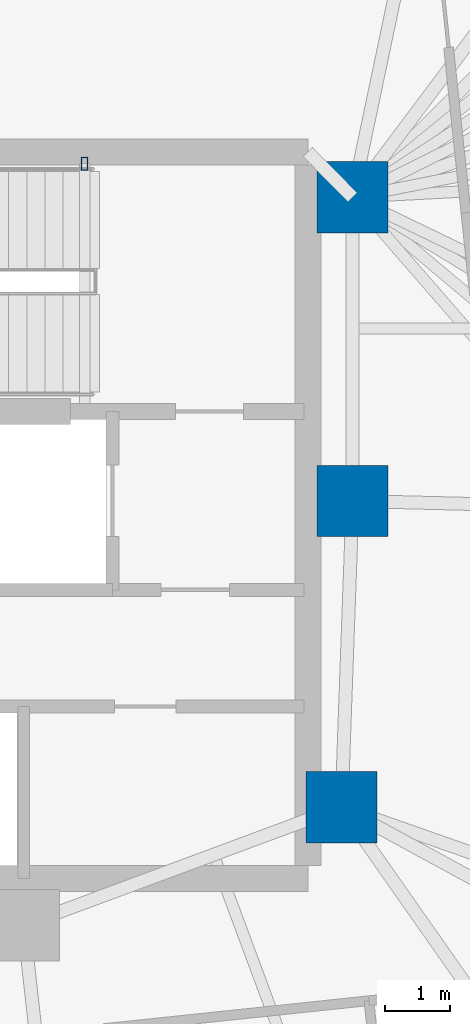
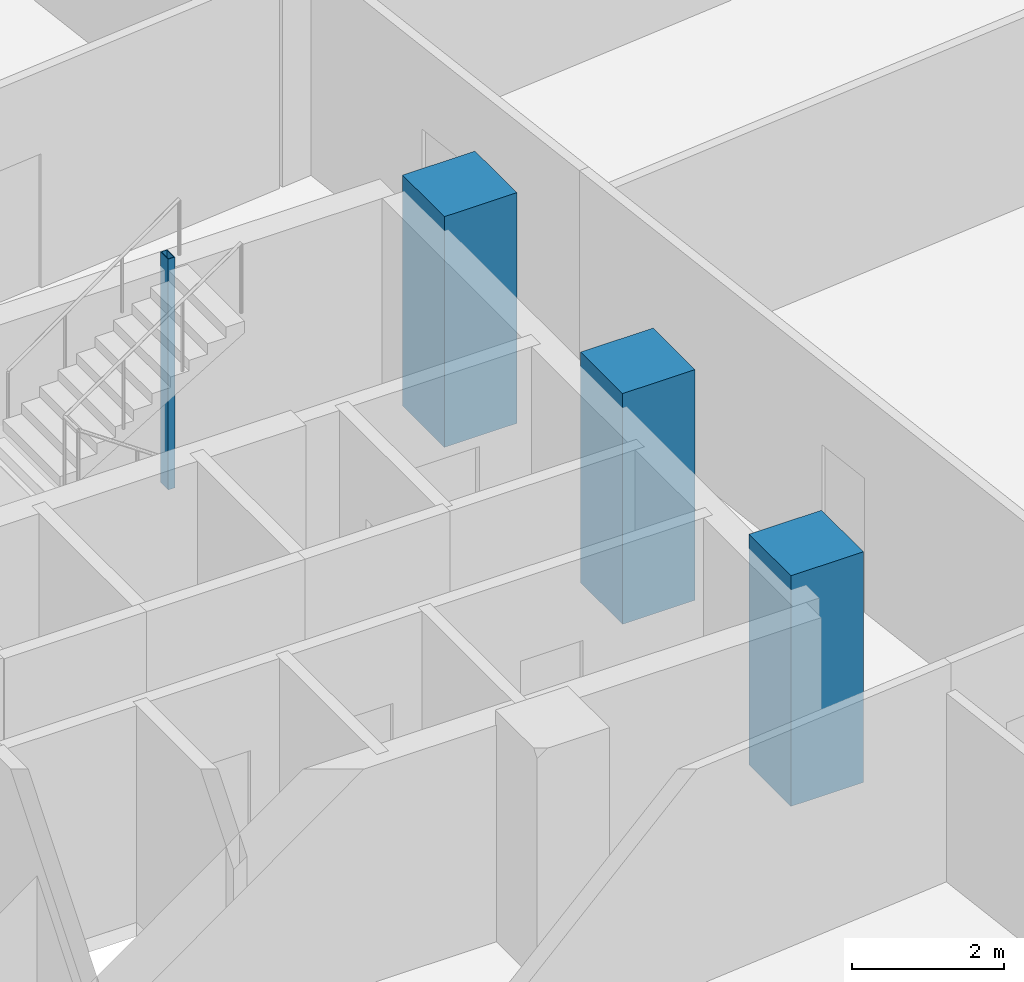
# One storey, part 4 of 18: 4 columns.
"""IFC4 building model written with IfcOpenShell, lengths in metres."""

from ifc_helpers import new_model, si_unit, direction, frame, origin, origin_2d, place, context, subcontext, project, spatial, rectangle, hollow_rectangle, extrude, material, material_profile, profile_set, type_object, element, save


model = new_model("IFC4")

# Units and contexts
model_context = context("Model", 3, precision=1e-05, world=origin(), true_north=direction((0.0, 1.0)))
body_context = subcontext(model_context, "Body", "Model", "MODEL_VIEW")
ifc_project = project(units=[si_unit("LENGTHUNIT", "METRE"), si_unit("AREAUNIT", "SQUARE_METRE"), si_unit("VOLUMEUNIT", "CUBIC_METRE"), si_unit("PLANEANGLEUNIT", "RADIAN"), si_unit("MASSUNIT", "GRAM", prefix="KILO")], contexts=[model_context])

# Site, building, storey
site_placement = place(None, origin())
site = spatial("IfcSite", under=ifc_project, at=site_placement, CompositionType="ELEMENT")
building_placement = place(site_placement, origin())
building = spatial("IfcBuilding", under=site, at=building_placement, Name="Menara Jurai Vektor", CompositionType="ELEMENT")
storey_placement = place(building_placement, frame((0.0, 0.0, 105.89990234375)))
storey = spatial("IfcBuildingStorey", under=building, at=storey_placement, Name="L26", CompositionType="ELEMENT", Elevation=105.89990234375)

# Columns
ifc_material_1 = material(Name="Concrete C50/60", Category="concrete")
ifc_material_profile_1 = material_profile(ifc_material_1, rectangle(XDim=1.10009765625, YDim=1.10009765625, at=origin_2d()), Name="RC 1100x1100")
ifc_profile_set_1 = profile_set([ifc_material_profile_1], Name="Concrete C50/60")
column_type_1 = type_object("IfcColumnType", Name="STR-COL-RC1100", PredefinedType="COLUMN", material=ifc_profile_set_1)
for number, where, z_axis, x_axis, name in (
    (1, (15.25, 4.89990234375, 0.0), (0.0, 0.0, 1.0), (1.0, 0.0, 0.0), "Core Spine Column CE-NE L26"),
    (2, (15.25, 0.219970703125, 0.0), (0.0, 0.0, 1.0), (1.0, 0.0, 0.0), "Core Spine Column CE-EM L26"),
    (3, (15.080078125, -4.5, 0.0), (0.0, 0.0, 1.0), (1.0, 0.0, 0.0), "Core Spine Column CE-SE L26"),
):
    element("IfcColumn", number, at=place(storey_placement, frame(where, z_axis=z_axis, x_axis=x_axis)), inside=storey, type_object=column_type_1, Name=name, PredefinedType="COLUMN", context=body_context, shape_type="SweptSolid", body=[
        extrude(rectangle(XDim=1.10009765625, YDim=1.10009765625, at=origin_2d()), origin(), (0.0, 0.0, 1.0), 3.7001953125),
    ])
ifc_material_2 = material(Name="Steel S355", Category="steel")
ifc_material_profile_2 = material_profile(ifc_material_2, hollow_rectangle(XDim=0.10009765625, YDim=0.199951171875, WallThickness=0.008056640625, at=origin_2d()), Name="RHS 200x100x8")
ifc_profile_set_2 = profile_set([ifc_material_profile_2], Name="Steel S355")
column_type_2 = type_object("IfcColumnType", Name="STR-COL-STAIR", PredefinedType="COLUMN", material=ifc_profile_set_2)
column_placement = place(storey_placement, frame((11.1201171875, 5.419921875, 0.0), z_axis=(0.0, 0.0, 1.0), x_axis=(1.0, 0.0, 0.0)))
element("IfcColumn", 4, at=column_placement, inside=storey, type_object=column_type_2, Name="Stair Well Header Column ST2-P2 L26", PredefinedType="COLUMN", context=body_context, shape_type="SweptSolid", body=[
    extrude(hollow_rectangle(XDim=0.10009765625, YDim=0.199951171875, WallThickness=0.008056640625, at=origin_2d()), origin(), (0.0, 0.0, 1.0), 3.7001953125),
])

save(model, "model.ifc")
